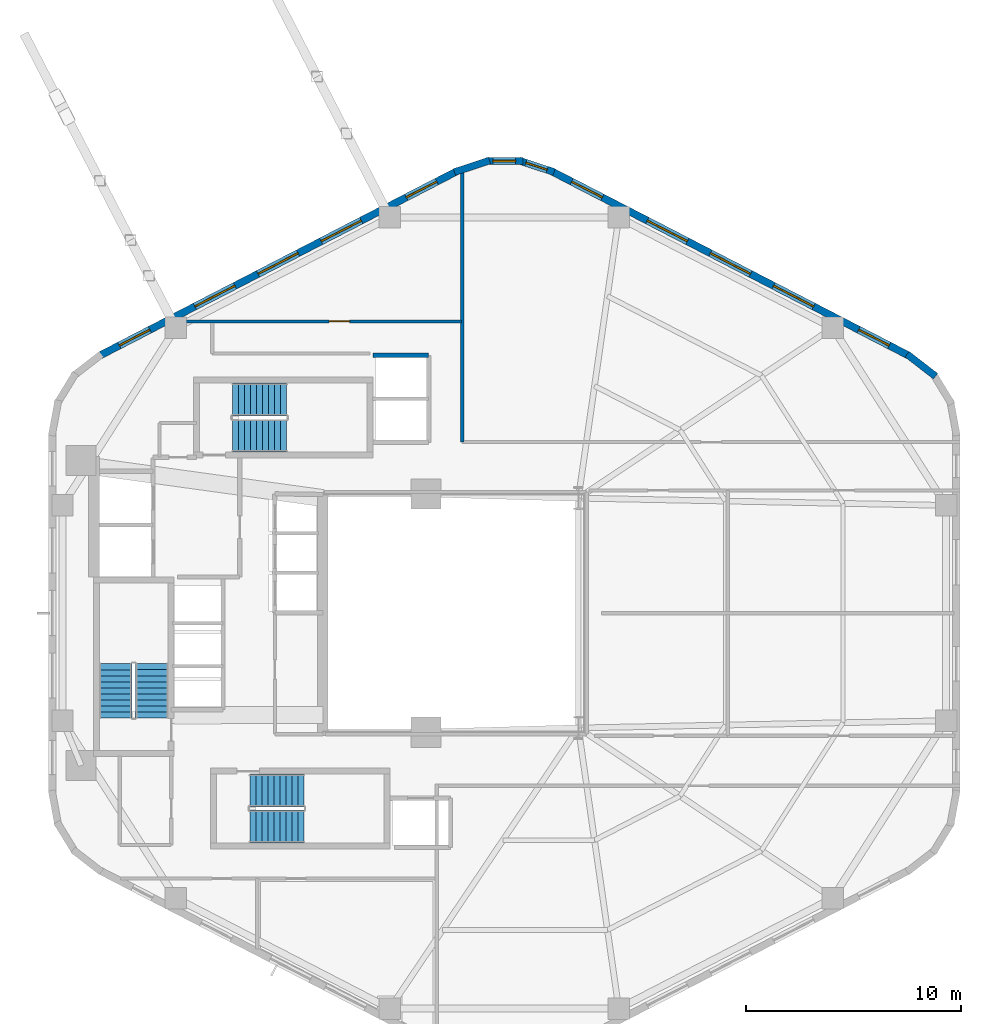
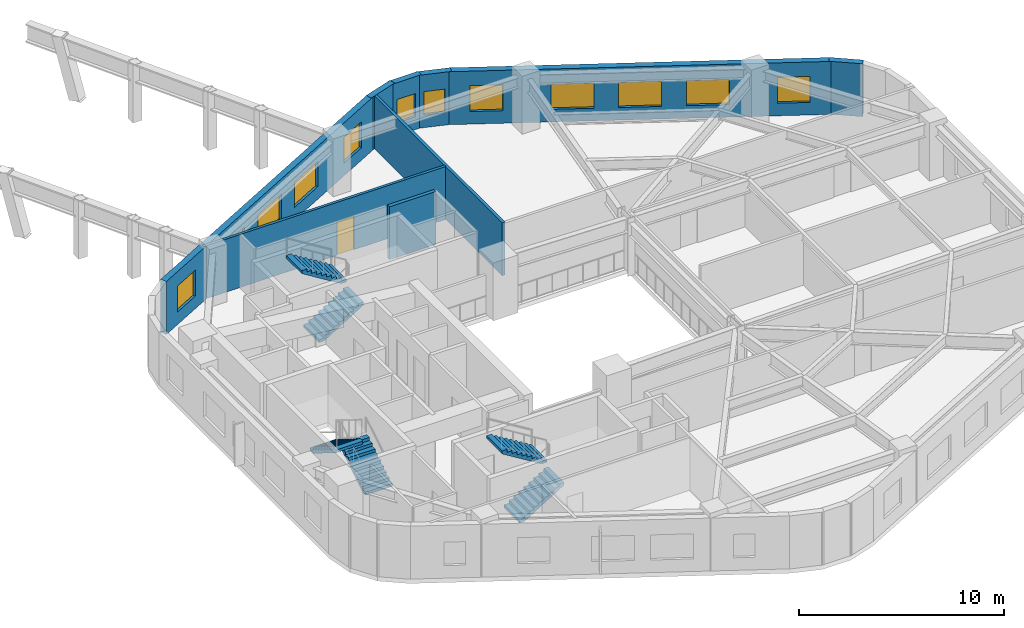
# One storey, part 5 of 6: 12 windows, 9 walls, 6 stair flights, 1 door, 13 openings, 3 elements without a shape of their own.
"""IFC4 building model written with IfcOpenShell, lengths in metres."""

from ifc_helpers import new_model, si_unit, direction, frame, frame_2d, origin, place, context, subcontext, project, spatial, polyline, rectangle, outline, extrude, material, layer, layer_set, type_object, element, fill, aggregate, save


model = new_model("IFC4")

# Units and contexts
model_context = context("Model", 3, precision=1e-05, world=origin(), true_north=direction((0.0, 1.0)))
body_context = subcontext(model_context, "Body", "Model", "MODEL_VIEW")
ifc_project = project(units=[si_unit("LENGTHUNIT", "METRE"), si_unit("AREAUNIT", "SQUARE_METRE"), si_unit("VOLUMEUNIT", "CUBIC_METRE"), si_unit("PLANEANGLEUNIT", "RADIAN"), si_unit("MASSUNIT", "GRAM", prefix="KILO"), si_unit("THERMODYNAMICTEMPERATUREUNIT", "KELVIN"), si_unit("POWERUNIT", "WATT")], contexts=[model_context])

# Site, building, storey
site_placement = place(None, origin())
site = spatial("IfcSite", under=ifc_project, at=site_placement, CompositionType="ELEMENT")
building_placement = place(site_placement, origin())
building = spatial("IfcBuilding", under=site, at=building_placement, Name="Skarre Station Tower", CompositionType="ELEMENT")
storey_placement = place(building_placement, frame((0.0, 0.0, 136.050048828125)))
storey = spatial("IfcBuildingStorey", under=building, at=storey_placement, Name="L36", CompositionType="ELEMENT", Elevation=136.050048828125)

# Wall, opening, door
ifc_material_1 = material(Name="Acoustic Steel-Stud Gypsum Partition", Category="steel")
ifc_layer_1 = layer(ifc_material_1, 0.14990234375, Name="Acoustic Steel-Stud Gypsum Partition")
ifc_layer_set_1 = layer_set([ifc_layer_1], Name="Acoustic Steel-Stud Gypsum Partition")
wall_type_1 = type_object("IfcWallType", Name="Fire-Rated Corridor Acoustic Partition 150", PredefinedType="PARTITIONING", material=ifc_layer_set_1)
wall_1_placement = place(storey_placement, frame((34.0, 37.580078125, 0.0), z_axis=(0.0, 0.0, 1.0), x_axis=(-1.0, 0.0, 0.0)))
wall_1 = element("IfcWall", 1, at=wall_1_placement, inside=storey, type_object=wall_type_1, Name="L36 Interior Partition WL-PT-L36-NWW1-CW", PredefinedType="PARTITIONING", context=body_context, shape_type="SweptSolid", body=[
    extrude(rectangle(XDim=13.70703125, YDim=0.14990234375, at=frame_2d((6.853515625, 0.0))), origin(), (0.0, 0.0, 1.0), 3.159912109375),
])
opening_1_placement = place(wall_1_placement, frame((5.195068359375, 0.0, 0.0)))
opening_1 = element("IfcOpeningElement", 2, at=opening_1_placement, cuts=wall_1, Name="Opening DR-FD60", PredefinedType="OPENING", context=body_context, shape_type="SweptSolid", body=[
    extrude(rectangle(XDim=0.9599609375, YDim=2.0, at=frame_2d((0.47998046875, 1.0))), frame((0.0, 0.0849609375, 0.0), z_axis=(0.0, -1.0, 0.0), x_axis=(1.0, 0.0, 0.0)), (0.0, 0.0, 1.0), 0.169921875),
])
ifc_material_2 = material(Name="Nordic White-Oak Veneer Solid-Core Fire Leaf", Category="wood")
door_type = type_object("IfcDoorType", Name="Corridor Suite Entry Fire Door FD60 960x2150", OperationType="SINGLE_SWING_LEFT", PredefinedType="DOOR", material=ifc_material_2)
door_placement = place(opening_1_placement, origin())
door = element("IfcDoor", 3, at=door_placement, inside=storey, type_object=door_type, Name="L36 NWW1 Entry Door", OperationType="SINGLE_SWING_LEFT", OverallHeight=2.0, OverallWidth=0.9599609375, PredefinedType="DOOR", context=body_context, shape_type="SweptSolid", body=[
    extrude(rectangle(XDim=0.9599609375, YDim=2.0, at=frame_2d((0.47998046875, 1.0))), frame((0.0, 0.02490234375, 0.0), z_axis=(0.0, -1.0, 0.0), x_axis=(1.0, 0.0, 0.0)), (0.0, 0.0, 1.0), 0.050048828125),
])
fill(opening_1, door)

# Wall, openings, windows
ifc_material_3 = material(Name="Precast concrete C45/55", Category="concrete")
ifc_layer_2 = layer(ifc_material_3, 0.340087890625, Name="Precast concrete C45/55")
ifc_layer_set_2 = layer_set([ifc_layer_2], Name="Precast concrete C45/55")
wall_type_2 = type_object("IfcWallType", Name="Nordic Honed Precast Facet Wall 340", PredefinedType="STANDARD", material=ifc_layer_set_2)
wall_2_placement = place(storey_placement, frame((38.23095703125, 44.55810546875, 0.0), z_axis=(0.0, 0.0, 1.0), x_axis=(0.888613612362, -0.458656568606, 0.0)))
wall_2 = element("IfcWall", 4, at=wall_2_placement, inside=storey, type_object=wall_type_2, Name="L36 Facet 0 Nordic Precast Masonry Wall", PredefinedType="STANDARD", context=body_context, shape_type="SweptSolid", body=[
    extrude(rectangle(XDim=18.680908203125, YDim=0.340087890625, at=frame_2d((9.34033203125, 0.0))), origin(), (0.0, 0.0, 1.0), 3.159912109375),
])
opening_2_placement = place(wall_2_placement, frame((1.02294921875, 0.0, 0.75)))
opening_2 = element("IfcOpeningElement", 5, at=opening_2_placement, cuts=wall_2, Name="Opening WN-Z2A", PredefinedType="OPENING", context=body_context, shape_type="SweptSolid", body=[
    extrude(rectangle(XDim=1.60009765625, YDim=1.550048828125, at=frame_2d((0.800048828125, 0.77490234375))), frame((0.0, 0.179931640625, 0.0), z_axis=(0.0, -1.0, 0.0), x_axis=(1.0, 0.0, 0.0)), (0.0, 0.0, 1.0), 0.360107421875),
])
opening_3_placement = place(wall_2_placement, frame((4.98095703125, 0.0, 0.75)))
opening_3 = element("IfcOpeningElement", 6, at=opening_3_placement, cuts=wall_2, Name="Opening WN-Z2B", PredefinedType="OPENING", context=body_context, shape_type="SweptSolid", body=[
    extrude(rectangle(XDim=2.10009765625, YDim=1.5, at=frame_2d((1.050048828125, 0.75))), frame((0.0, 0.179931640625, 0.0), z_axis=(0.0, -1.0, 0.0), x_axis=(1.0, 0.0, 0.0)), (0.0, 0.0, 1.0), 0.360107421875),
])
opening_4_placement = place(wall_2_placement, frame((8.2900390625, 0.0, 0.75)))
opening_4 = element("IfcOpeningElement", 7, at=opening_4_placement, cuts=wall_2, Name="Opening WN-Z2B", PredefinedType="OPENING", context=body_context, shape_type="SweptSolid", body=[
    extrude(rectangle(XDim=2.10009765625, YDim=1.5, at=frame_2d((1.050048828125, 0.75))), frame((0.0, 0.179931640625, 0.0), z_axis=(0.0, -1.0, 0.0), x_axis=(1.0, 0.0, 0.0)), (0.0, 0.0, 1.0), 0.360107421875),
])
opening_5_placement = place(wall_2_placement, frame((11.60009765625, 0.0, 0.75)))
opening_5 = element("IfcOpeningElement", 8, at=opening_5_placement, cuts=wall_2, Name="Opening WN-Z2B", PredefinedType="OPENING", context=body_context, shape_type="SweptSolid", body=[
    extrude(rectangle(XDim=2.10009765625, YDim=1.5, at=frame_2d((1.050048828125, 0.75))), frame((0.0, 0.179931640625, 0.0), z_axis=(0.0, -1.0, 0.0), x_axis=(1.0, 0.0, 0.0)), (0.0, 0.0, 1.0), 0.360107421875),
])
opening_6_placement = place(wall_2_placement, frame((16.05810546875, 0.0, 0.75)))
opening_6 = element("IfcOpeningElement", 9, at=opening_6_placement, cuts=wall_2, Name="Opening WN-Z2A", PredefinedType="OPENING", context=body_context, shape_type="SweptSolid", body=[
    extrude(rectangle(XDim=1.60009765625, YDim=1.550048828125, at=frame_2d((0.800048828125, 0.77490234375))), frame((0.0, 0.179931640625, 0.0), z_axis=(0.0, -1.0, 0.0), x_axis=(1.0, 0.0, 0.0)), (0.0, 0.0, 1.0), 0.360107421875),
])
ifc_material_4 = material(Name="Low-Iron Triple Glazing with Bronze Anodized Frame", Category="glass")
window_type_1 = type_object("IfcWindowType", Name="Nordic Residential Tall Window 1600x1550", PartitioningType="SINGLE_PANEL", PredefinedType="WINDOW", material=ifc_material_4)
window_1_placement = place(opening_2_placement, origin())
window_1 = element("IfcWindow", 10, at=window_1_placement, inside=storey, type_object=window_type_1, Name="L36 Facade Window WL-FAC-L36-F0-1", OverallHeight=1.550048828125, OverallWidth=1.60009765625, PartitioningType="SINGLE_PANEL", PredefinedType="WINDOW", context=body_context, shape_type="SweptSolid", body=[
    extrude(rectangle(XDim=1.60009765625, YDim=1.550048828125, at=frame_2d((0.800048828125, 0.77490234375))), frame((0.0, 0.030029296875, 0.0), z_axis=(0.0, -1.0, 0.0), x_axis=(1.0, 0.0, 0.0)), (0.0, 0.0, 1.0), 0.06005859375),
])
fill(opening_2, window_1)
window_2_placement = place(opening_6_placement, origin())
window_2 = element("IfcWindow", 11, at=window_2_placement, inside=storey, type_object=window_type_1, Name="L36 Facade Window WL-FAC-L36-F0-5", OverallHeight=1.550048828125, OverallWidth=1.60009765625, PartitioningType="SINGLE_PANEL", PredefinedType="WINDOW", context=body_context, shape_type="SweptSolid", body=[
    extrude(rectangle(XDim=1.60009765625, YDim=1.550048828125, at=frame_2d((0.800048828125, 0.77490234375))), frame((0.0, 0.030029296875, 0.0), z_axis=(0.0, -1.0, 0.0), x_axis=(1.0, 0.0, 0.0)), (0.0, 0.0, 1.0), 0.06005859375),
])
fill(opening_6, window_2)
window_type_2 = type_object("IfcWindowType", Name="Nordic Residential Twin Window 2100x1500", PartitioningType="SINGLE_PANEL", PredefinedType="WINDOW", material=ifc_material_4)
window_3_placement = place(opening_3_placement, origin())
window_3 = element("IfcWindow", 12, at=window_3_placement, inside=storey, type_object=window_type_2, Name="L36 Facade Window WL-FAC-L36-F0-2", OverallHeight=1.5, OverallWidth=2.10009765625, PartitioningType="SINGLE_PANEL", PredefinedType="WINDOW", context=body_context, shape_type="SweptSolid", body=[
    extrude(rectangle(XDim=2.10009765625, YDim=1.5, at=frame_2d((1.050048828125, 0.75))), frame((0.0, 0.030029296875, 0.0), z_axis=(0.0, -1.0, 0.0), x_axis=(1.0, 0.0, 0.0)), (0.0, 0.0, 1.0), 0.06005859375),
])
fill(opening_3, window_3)
window_4_placement = place(opening_4_placement, origin())
window_4 = element("IfcWindow", 13, at=window_4_placement, inside=storey, type_object=window_type_2, Name="L36 Facade Window WL-FAC-L36-F0-3", OverallHeight=1.5, OverallWidth=2.10009765625, PartitioningType="SINGLE_PANEL", PredefinedType="WINDOW", context=body_context, shape_type="SweptSolid", body=[
    extrude(rectangle(XDim=2.10009765625, YDim=1.5, at=frame_2d((1.050048828125, 0.75))), frame((0.0, 0.030029296875, 0.0), z_axis=(0.0, -1.0, 0.0), x_axis=(1.0, 0.0, 0.0)), (0.0, 0.0, 1.0), 0.06005859375),
])
fill(opening_4, window_4)
window_5_placement = place(opening_5_placement, origin())
window_5 = element("IfcWindow", 14, at=window_5_placement, inside=storey, type_object=window_type_2, Name="L36 Facade Window WL-FAC-L36-F0-4", OverallHeight=1.5, OverallWidth=2.10009765625, PartitioningType="SINGLE_PANEL", PredefinedType="WINDOW", context=body_context, shape_type="SweptSolid", body=[
    extrude(rectangle(XDim=2.10009765625, YDim=1.5, at=frame_2d((1.050048828125, 0.75))), frame((0.0, 0.030029296875, 0.0), z_axis=(0.0, -1.0, 0.0), x_axis=(1.0, 0.0, 0.0)), (0.0, 0.0, 1.0), 0.06005859375),
])
fill(opening_5, window_5)

wall_3_placement = place(storey_placement, frame((17.1689453125, 35.989990234375, 0.0), z_axis=(0.0, 0.0, 1.0), x_axis=(0.888613612362, 0.458656568606, 0.0)))
wall_3 = element("IfcWall", 15, at=wall_3_placement, inside=storey, type_object=wall_type_2, Name="L36 Facet 1 Nordic Precast Masonry Wall", PredefinedType="STANDARD", context=body_context, shape_type="SweptSolid", body=[
    extrude(rectangle(XDim=18.680908203125, YDim=0.340087890625, at=frame_2d((9.34033203125, 0.0))), origin(), (0.0, 0.0, 1.0), 3.159912109375),
])
opening_7_placement = place(wall_3_placement, frame((1.02294921875, 0.0, 0.75)))
opening_7 = element("IfcOpeningElement", 16, at=opening_7_placement, cuts=wall_3, Name="Opening WN-Z2A", PredefinedType="OPENING", context=body_context, shape_type="SweptSolid", body=[
    extrude(rectangle(XDim=1.60009765625, YDim=1.550048828125, at=frame_2d((0.800048828125, 0.77490234375))), frame((0.0, 0.179931640625, 0.0), z_axis=(0.0, -1.0, 0.0), x_axis=(1.0, 0.0, 0.0)), (0.0, 0.0, 1.0), 0.360107421875),
])
opening_8_placement = place(wall_3_placement, frame((4.98095703125, 0.0, 0.75)))
opening_8 = element("IfcOpeningElement", 17, at=opening_8_placement, cuts=wall_3, Name="Opening WN-Z2B", PredefinedType="OPENING", context=body_context, shape_type="SweptSolid", body=[
    extrude(rectangle(XDim=2.10009765625, YDim=1.5, at=frame_2d((1.050048828125, 0.75))), frame((0.0, 0.179931640625, 0.0), z_axis=(0.0, -1.0, 0.0), x_axis=(1.0, 0.0, 0.0)), (0.0, 0.0, 1.0), 0.360107421875),
])
opening_9_placement = place(wall_3_placement, frame((8.2900390625, 0.0, 0.75)))
opening_9 = element("IfcOpeningElement", 18, at=opening_9_placement, cuts=wall_3, Name="Opening WN-Z2B", PredefinedType="OPENING", context=body_context, shape_type="SweptSolid", body=[
    extrude(rectangle(XDim=2.10009765625, YDim=1.5, at=frame_2d((1.050048828125, 0.75))), frame((0.0, 0.179931640625, 0.0), z_axis=(0.0, -1.0, 0.0), x_axis=(1.0, 0.0, 0.0)), (0.0, 0.0, 1.0), 0.360107421875),
])
opening_10_placement = place(wall_3_placement, frame((11.60009765625, 0.0, 0.75)))
opening_10 = element("IfcOpeningElement", 19, at=opening_10_placement, cuts=wall_3, Name="Opening WN-Z2B", PredefinedType="OPENING", context=body_context, shape_type="SweptSolid", body=[
    extrude(rectangle(XDim=2.10009765625, YDim=1.5, at=frame_2d((1.050048828125, 0.75))), frame((0.0, 0.179931640625, 0.0), z_axis=(0.0, -1.0, 0.0), x_axis=(1.0, 0.0, 0.0)), (0.0, 0.0, 1.0), 0.360107421875),
])
opening_11_placement = place(wall_3_placement, frame((16.05810546875, 0.0, 0.75)))
opening_11 = element("IfcOpeningElement", 20, at=opening_11_placement, cuts=wall_3, Name="Opening WN-Z2A", PredefinedType="OPENING", context=body_context, shape_type="SweptSolid", body=[
    extrude(rectangle(XDim=1.60009765625, YDim=1.550048828125, at=frame_2d((0.800048828125, 0.77490234375))), frame((0.0, 0.179931640625, 0.0), z_axis=(0.0, -1.0, 0.0), x_axis=(1.0, 0.0, 0.0)), (0.0, 0.0, 1.0), 0.360107421875),
])
window_6_placement = place(opening_7_placement, origin())
window_6 = element("IfcWindow", 21, at=window_6_placement, inside=storey, type_object=window_type_1, Name="L36 Facade Window WL-FAC-L36-F1-1", OverallHeight=1.550048828125, OverallWidth=1.60009765625, PartitioningType="SINGLE_PANEL", PredefinedType="WINDOW", context=body_context, shape_type="SweptSolid", body=[
    extrude(rectangle(XDim=1.60009765625, YDim=1.550048828125, at=frame_2d((0.800048828125, 0.77490234375))), frame((0.0, 0.030029296875, 0.0), z_axis=(0.0, -1.0, 0.0), x_axis=(1.0, 0.0, 0.0)), (0.0, 0.0, 1.0), 0.06005859375),
])
fill(opening_7, window_6)
window_7_placement = place(opening_11_placement, origin())
window_7 = element("IfcWindow", 22, at=window_7_placement, inside=storey, type_object=window_type_1, Name="L36 Facade Window WL-FAC-L36-F1-5", OverallHeight=1.550048828125, OverallWidth=1.60009765625, PartitioningType="SINGLE_PANEL", PredefinedType="WINDOW", context=body_context, shape_type="SweptSolid", body=[
    extrude(rectangle(XDim=1.60009765625, YDim=1.550048828125, at=frame_2d((0.800048828125, 0.77490234375))), frame((0.0, 0.030029296875, 0.0), z_axis=(0.0, -1.0, 0.0), x_axis=(1.0, 0.0, 0.0)), (0.0, 0.0, 1.0), 0.06005859375),
])
fill(opening_11, window_7)
window_8_placement = place(opening_8_placement, origin())
window_8 = element("IfcWindow", 23, at=window_8_placement, inside=storey, type_object=window_type_2, Name="L36 Facade Window WL-FAC-L36-F1-2", OverallHeight=1.5, OverallWidth=2.10009765625, PartitioningType="SINGLE_PANEL", PredefinedType="WINDOW", context=body_context, shape_type="SweptSolid", body=[
    extrude(rectangle(XDim=2.10009765625, YDim=1.5, at=frame_2d((1.050048828125, 0.75))), frame((0.0, 0.030029296875, 0.0), z_axis=(0.0, -1.0, 0.0), x_axis=(1.0, 0.0, 0.0)), (0.0, 0.0, 1.0), 0.06005859375),
])
fill(opening_8, window_8)
window_9_placement = place(opening_9_placement, origin())
window_9 = element("IfcWindow", 24, at=window_9_placement, inside=storey, type_object=window_type_2, Name="L36 Facade Window WL-FAC-L36-F1-3", OverallHeight=1.5, OverallWidth=2.10009765625, PartitioningType="SINGLE_PANEL", PredefinedType="WINDOW", context=body_context, shape_type="SweptSolid", body=[
    extrude(rectangle(XDim=2.10009765625, YDim=1.5, at=frame_2d((1.050048828125, 0.75))), frame((0.0, 0.030029296875, 0.0), z_axis=(0.0, -1.0, 0.0), x_axis=(1.0, 0.0, 0.0)), (0.0, 0.0, 1.0), 0.06005859375),
])
fill(opening_9, window_9)
window_10_placement = place(opening_10_placement, origin())
window_10 = element("IfcWindow", 25, at=window_10_placement, inside=storey, type_object=window_type_2, Name="L36 Facade Window WL-FAC-L36-F1-4", OverallHeight=1.5, OverallWidth=2.10009765625, PartitioningType="SINGLE_PANEL", PredefinedType="WINDOW", context=body_context, shape_type="SweptSolid", body=[
    extrude(rectangle(XDim=2.10009765625, YDim=1.5, at=frame_2d((1.050048828125, 0.75))), frame((0.0, 0.030029296875, 0.0), z_axis=(0.0, -1.0, 0.0), x_axis=(1.0, 0.0, 0.0)), (0.0, 0.0, 1.0), 0.06005859375),
])
fill(opening_10, window_10)

# Walls
ifc_layer_3 = layer(ifc_material_3, 0.330078125, Name="Precast concrete C45/55")
ifc_layer_set_3 = layer_set([ifc_layer_3], Name="Precast concrete C45/55")
wall_type_3 = type_object("IfcWallType", Name="Nordic Rounded Corner Precast Wall 330", PredefinedType="STANDARD", material=ifc_layer_set_3)
wall_4_placement = place(storey_placement, frame((54.757080078125, 36.050048828125, 0.0), z_axis=(0.0, 0.0, 1.0), x_axis=(0.790621329885, -0.612305408053, 0.0)))
element("IfcWall", 26, at=wall_4_placement, inside=storey, type_object=wall_type_3, Name="L36 Rounded Corner Precast Wall F0-1", PredefinedType="STANDARD", context=body_context, shape_type="SweptSolid", body=[
    extrude(rectangle(XDim=1.67578125, YDim=0.330078125, at=frame_2d((0.837890625, 0.0))), origin(), (0.0, 0.0, 1.0), 3.159912109375),
])
wall_5_placement = place(storey_placement, frame((33.680908203125, 44.531982421875, 0.0), z_axis=(0.0, 0.0, 1.0), x_axis=(0.949937416267, 0.312440242569, 0.0)))
element("IfcWall", 27, at=wall_5_placement, inside=storey, type_object=wall_type_3, Name="L36 Rounded Corner Precast Wall F1-1", PredefinedType="STANDARD", context=body_context, shape_type="SweptSolid", body=[
    extrude(rectangle(XDim=1.72216796875, YDim=0.330078125, at=frame_2d((0.861083984375, 0.0))), origin(), (0.0, 0.0, 1.0), 3.159912109375),
])

# Wall, opening, window
wall_6_placement = place(storey_placement, frame((35.138916015625, 45.041015625, 0.0), z_axis=(0.0, 0.0, 1.0), x_axis=(1.0, 0.0, 0.0)))
wall_6 = element("IfcWall", 28, at=wall_6_placement, inside=storey, type_object=wall_type_3, Name="L36 Rounded Corner Precast Wall F1-2", PredefinedType="STANDARD", context=body_context, shape_type="SweptSolid", body=[
    extrude(rectangle(XDim=1.72216796875, YDim=0.330078125, at=frame_2d((0.861083984375, 0.0))), origin(), (0.0, 0.0, 1.0), 3.159912109375),
])
opening_12_placement = place(wall_6_placement, frame((0.3359375, 0.0, 0.75)))
opening_12 = element("IfcOpeningElement", 29, at=opening_12_placement, cuts=wall_6, Name="Opening WN-SLT", PredefinedType="OPENING", context=body_context, shape_type="SweptSolid", body=[
    extrude(rectangle(XDim=1.050048828125, YDim=1.39990234375, at=frame_2d((0.52490234375, 0.699951171875))), frame((0.0, 0.175048828125, 0.0), z_axis=(0.0, -1.0, 0.0), x_axis=(1.0, 0.0, 0.0)), (0.0, 0.0, 1.0), 0.35009765625),
])
window_type_3 = type_object("IfcWindowType", Name="Nordic Corner Slot Window 1050x1400", PartitioningType="SINGLE_PANEL", PredefinedType="WINDOW", material=ifc_material_4)
window_11_placement = place(opening_12_placement, origin())
window_11 = element("IfcWindow", 30, at=window_11_placement, inside=storey, type_object=window_type_3, Name="L36 Apex Corner Slot Window F1-2", OverallHeight=1.39990234375, OverallWidth=1.050048828125, PartitioningType="SINGLE_PANEL", PredefinedType="WINDOW", context=body_context, shape_type="SweptSolid", body=[
    extrude(rectangle(XDim=1.050048828125, YDim=1.39990234375, at=frame_2d((0.52490234375, 0.699951171875))), frame((0.0, 0.030029296875, 0.0), z_axis=(0.0, -1.0, 0.0), x_axis=(1.0, 0.0, 0.0)), (0.0, 0.0, 1.0), 0.06005859375),
])
fill(opening_12, window_11)

wall_7_placement = place(storey_placement, frame((36.68310546875, 45.070068359375, 0.0), z_axis=(0.0, 0.0, 1.0), x_axis=(0.949937416267, -0.312440242569, 0.0)))
wall_7 = element("IfcWall", 31, at=wall_7_placement, inside=storey, type_object=wall_type_3, Name="L36 Rounded Corner Precast Wall F1-3", PredefinedType="STANDARD", context=body_context, shape_type="SweptSolid", body=[
    extrude(rectangle(XDim=1.72216796875, YDim=0.330078125, at=frame_2d((0.861083984375, 0.0))), origin(), (0.0, 0.0, 1.0), 3.159912109375),
])
opening_13_placement = place(wall_7_placement, frame((0.3359375, 0.0, 0.75)))
opening_13 = element("IfcOpeningElement", 32, at=opening_13_placement, cuts=wall_7, Name="Opening WN-SLT", PredefinedType="OPENING", context=body_context, shape_type="SweptSolid", body=[
    extrude(rectangle(XDim=1.050048828125, YDim=1.39990234375, at=frame_2d((0.52490234375, 0.699951171875))), frame((0.0, 0.175048828125, 0.0), z_axis=(0.0, -1.0, 0.0), x_axis=(1.0, 0.0, 0.0)), (0.0, 0.0, 1.0), 0.35009765625),
])
window_12_placement = place(opening_13_placement, origin())
window_12 = element("IfcWindow", 33, at=window_12_placement, inside=storey, type_object=window_type_3, Name="L36 Apex Corner Slot Window F1-3", OverallHeight=1.39990234375, OverallWidth=1.050048828125, PartitioningType="SINGLE_PANEL", PredefinedType="WINDOW", context=body_context, shape_type="SweptSolid", body=[
    extrude(rectangle(XDim=1.050048828125, YDim=1.39990234375, at=frame_2d((0.52490234375, 0.699951171875))), frame((0.0, 0.030029296875, 0.0), z_axis=(0.0, -1.0, 0.0), x_axis=(1.0, 0.0, 0.0)), (0.0, 0.0, 1.0), 0.06005859375),
])
fill(opening_13, window_12)

# Walls
ifc_material_5 = material(Name="Gypsum Concrete Shaft Assembly C30/37", Category="concrete")
ifc_layer_4 = layer(ifc_material_5, 0.199951171875, Name="Gypsum Concrete Shaft Assembly C30/37")
ifc_layer_set_4 = layer_set([ifc_layer_4], Name="Gypsum Concrete Shaft Assembly C30/37")
wall_type_4 = type_object("IfcWallType", Name="Shaft & Core Fire Partition 200", PredefinedType="PARTITIONING", material=ifc_layer_set_4)
wall_8_placement = place(storey_placement, frame((29.8798828125, 36.0, 0.0), z_axis=(0.0, 0.0, 1.0), x_axis=(1.0, 0.0, 0.0)))
element("IfcWall", 34, at=wall_8_placement, inside=storey, type_object=wall_type_4, Name="L36 Interior Partition WL-PT-L36-EX-N", PredefinedType="PARTITIONING", context=body_context, shape_type="SweptSolid", body=[
    extrude(rectangle(XDim=2.60009765625, YDim=0.199951171875, at=frame_2d((1.300048828125, 0.0))), origin(), (0.0, 0.0, 1.0), 3.159912109375),
])
ifc_layer_5 = layer(ifc_material_1, 0.1650390625, Name="Acoustic Steel-Stud Gypsum Partition")
ifc_layer_set_5 = layer_set([ifc_layer_5], Name="Acoustic Steel-Stud Gypsum Partition")
wall_type_5 = type_object("IfcWallType", Name="Suite Demising Acoustic Partition 165", PredefinedType="PARTITIONING", material=ifc_layer_set_5)
wall_9_placement = place(storey_placement, frame((34.0400390625, 31.9599609375, 0.0), z_axis=(0.0, 0.0, 1.0), x_axis=(0.0, 1.0, 0.0)))
element("IfcWall", 35, at=wall_9_placement, inside=storey, type_object=wall_type_5, Name="L36 Interior Partition WL-PT-L36-NW-WBND", PredefinedType="PARTITIONING", context=body_context, shape_type="SweptSolid", body=[
    extrude(rectangle(XDim=12.55810546875, YDim=0.1650390625, at=frame_2d((6.279052734375, 0.0))), origin(), (0.0, 0.0, 1.0), 3.159912109375),
])

# Stair, stair flights
ifc_material_6 = material(Name="Concrete C40/50", Category="concrete")
stair_type_1 = type_object("IfcStairType", Name="Reinforced Concrete Exit Stair ST-1", PredefinedType="HALF_TURN_STAIR", material=ifc_material_6)
stair_1_placement = place(storey_placement, origin())
stair_1 = element("IfcStair", 36, at=stair_1_placement, inside=storey, type_object=stair_type_1, Name="L36 Core Exit Stair ST-1", PredefinedType="HALF_TURN_STAIR")
stair_flight_type_1 = type_object("IfcStairFlightType", Name="Reinforced Concrete Stair Flight ST-1", PredefinedType="STRAIGHT", material=ifc_material_6)
stair_flight_1_placement = place(storey_placement, frame((19.590087890625, 19.1201171875, 0.0), z_axis=(0.0, 0.0, 1.0), x_axis=(0.0, 1.0, 0.0)))
stair_flight_1 = element("IfcStairFlight", 37, at=stair_flight_1_placement, type_object=stair_flight_type_1, Name="ST-1 flight 1", NumberOfRisers=10, NumberOfTreads=9, PredefinedType="STRAIGHT", RiserHeight=0.1725, TreadLength=0.28, context=body_context, shape_type="SweptSolid", body=[
    extrude(outline(polyline([(0.0, 0.0), (0.0, 0.172607421875), (0.280029296875, 0.172607421875), (0.280029296875, 0.344970703125), (0.56005859375, 0.344970703125), (0.56005859375, 0.517578125), (0.840087890625, 0.517578125), (0.840087890625, 0.68994140625), (1.1201171875, 0.68994140625), (1.1201171875, 0.862548828125), (1.39990234375, 0.862548828125), (1.39990234375, 1.034912109375), (1.679931640625, 1.034912109375), (1.679931640625, 1.20751953125), (1.9599609375, 1.20751953125), (1.9599609375, 1.3798828125), (2.239990234375, 1.3798828125), (2.239990234375, 1.552490234375), (2.52001953125, 1.552490234375), (2.52001953125, 1.72509765625), (2.52001953125, 1.37646484375), (0.285888671875, 0.0), (0.0, 0.0)])), frame((0.0, 0.760009765625, 0.0), z_axis=(0.0, -1.0, 0.0), x_axis=(1.0, 0.0, 0.0)), (0.0, 0.0, 1.0), 1.52001953125),
])
stair_flight_2_placement = place(storey_placement, frame((17.909912109375, 21.639892578125, 1.724853515625), z_axis=(0.0, 0.0, 1.0), x_axis=(0.0, -1.0, 0.0)))
stair_flight_2 = element("IfcStairFlight", 38, at=stair_flight_2_placement, type_object=stair_flight_type_1, Name="ST-1 flight 2", NumberOfRisers=10, NumberOfTreads=9, PredefinedType="STRAIGHT", RiserHeight=0.1725, TreadLength=0.28, context=body_context, shape_type="SweptSolid", body=[
    extrude(outline(polyline([(0.0, 0.0), (0.0, 0.172607421875), (0.280029296875, 0.172607421875), (0.280029296875, 0.344970703125), (0.56005859375, 0.344970703125), (0.56005859375, 0.517578125), (0.840087890625, 0.517578125), (0.840087890625, 0.68994140625), (1.1201171875, 0.68994140625), (1.1201171875, 0.862548828125), (1.39990234375, 0.862548828125), (1.39990234375, 1.034912109375), (1.679931640625, 1.034912109375), (1.679931640625, 1.20751953125), (1.9599609375, 1.20751953125), (1.9599609375, 1.3798828125), (2.239990234375, 1.3798828125), (2.239990234375, 1.552490234375), (2.52001953125, 1.552490234375), (2.52001953125, 1.72509765625), (2.52001953125, 1.37646484375), (0.285888671875, 0.0), (0.0, 0.0)])), frame((0.0, 0.760009765625, 0.0), z_axis=(0.0, -1.0, 0.0), x_axis=(1.0, 0.0, 0.0)), (0.0, 0.0, 1.0), 1.52001953125),
])
aggregate(stair_1, [stair_flight_1, stair_flight_2])

stair_type_2 = type_object("IfcStairType", Name="Reinforced Concrete Exit Stair ST-2", PredefinedType="HALF_TURN_STAIR", material=ifc_material_6)
stair_2_placement = place(storey_placement, origin())
stair_2 = element("IfcStair", 39, at=stair_2_placement, inside=storey, type_object=stair_type_2, Name="L36 Core Exit Stair ST-2", PredefinedType="HALF_TURN_STAIR")
stair_flight_type_2 = type_object("IfcStairFlightType", Name="Reinforced Concrete Stair Flight ST-2", PredefinedType="STRAIGHT", material=ifc_material_6)
stair_flight_3_placement = place(storey_placement, frame((24.14990234375, 14.06005859375, 0.0), z_axis=(0.0, 0.0, 1.0), x_axis=(1.0, 0.0, 0.0)))
stair_flight_3 = element("IfcStairFlight", 40, at=stair_flight_3_placement, type_object=stair_flight_type_2, Name="ST-2 flight 1", NumberOfRisers=10, NumberOfTreads=9, PredefinedType="STRAIGHT", RiserHeight=0.1725, TreadLength=0.28, context=body_context, shape_type="SweptSolid", body=[
    extrude(outline(polyline([(0.0, 0.0), (0.0, 0.172607421875), (0.280029296875, 0.172607421875), (0.280029296875, 0.344970703125), (0.56005859375, 0.344970703125), (0.56005859375, 0.517578125), (0.840087890625, 0.517578125), (0.840087890625, 0.68994140625), (1.1201171875, 0.68994140625), (1.1201171875, 0.862548828125), (1.39990234375, 0.862548828125), (1.39990234375, 1.034912109375), (1.679931640625, 1.034912109375), (1.679931640625, 1.20751953125), (1.9599609375, 1.20751953125), (1.9599609375, 1.3798828125), (2.239990234375, 1.3798828125), (2.239990234375, 1.552490234375), (2.52001953125, 1.552490234375), (2.52001953125, 1.72509765625), (2.52001953125, 1.37646484375), (0.285888671875, 0.0), (0.0, 0.0)])), frame((0.0, 0.760009765625, 0.0), z_axis=(0.0, -1.0, 0.0), x_axis=(1.0, 0.0, 0.0)), (0.0, 0.0, 1.0), 1.52001953125),
])
stair_flight_4_placement = place(storey_placement, frame((26.669921875, 15.739990234375, 1.724853515625), z_axis=(0.0, 0.0, 1.0), x_axis=(-1.0, 0.0, 0.0)))
stair_flight_4 = element("IfcStairFlight", 41, at=stair_flight_4_placement, type_object=stair_flight_type_2, Name="ST-2 flight 2", NumberOfRisers=10, NumberOfTreads=9, PredefinedType="STRAIGHT", RiserHeight=0.1725, TreadLength=0.28, context=body_context, shape_type="SweptSolid", body=[
    extrude(outline(polyline([(0.0, 0.0), (0.0, 0.172607421875), (0.280029296875, 0.172607421875), (0.280029296875, 0.344970703125), (0.56005859375, 0.344970703125), (0.56005859375, 0.517578125), (0.840087890625, 0.517578125), (0.840087890625, 0.68994140625), (1.1201171875, 0.68994140625), (1.1201171875, 0.862548828125), (1.39990234375, 0.862548828125), (1.39990234375, 1.034912109375), (1.679931640625, 1.034912109375), (1.679931640625, 1.20751953125), (1.9599609375, 1.20751953125), (1.9599609375, 1.3798828125), (2.239990234375, 1.3798828125), (2.239990234375, 1.552490234375), (2.52001953125, 1.552490234375), (2.52001953125, 1.72509765625), (2.52001953125, 1.37646484375), (0.285888671875, 0.0), (0.0, 0.0)])), frame((0.0, 0.760009765625, 0.0), z_axis=(0.0, -1.0, 0.0), x_axis=(1.0, 0.0, 0.0)), (0.0, 0.0, 1.0), 1.52001953125),
])
aggregate(stair_2, [stair_flight_3, stair_flight_4])

stair_type_3 = type_object("IfcStairType", Name="Reinforced Concrete Exit Stair ST-3", PredefinedType="HALF_TURN_STAIR", material=ifc_material_6)
stair_3_placement = place(storey_placement, origin())
stair_3 = element("IfcStair", 42, at=stair_3_placement, inside=storey, type_object=stair_type_3, Name="L36 Core Exit Stair ST-3", PredefinedType="HALF_TURN_STAIR")
stair_flight_type_3 = type_object("IfcStairFlightType", Name="Reinforced Concrete Stair Flight ST-3", PredefinedType="STRAIGHT", material=ifc_material_6)
stair_flight_5_placement = place(storey_placement, frame((23.35009765625, 32.260009765625, 0.0), z_axis=(0.0, 0.0, 1.0), x_axis=(1.0, 0.0, 0.0)))
stair_flight_5 = element("IfcStairFlight", 43, at=stair_flight_5_placement, type_object=stair_flight_type_3, Name="ST-3 flight 1", NumberOfRisers=10, NumberOfTreads=9, PredefinedType="STRAIGHT", RiserHeight=0.1725, TreadLength=0.28, context=body_context, shape_type="SweptSolid", body=[
    extrude(outline(polyline([(0.0, 0.0), (0.0, 0.172607421875), (0.280029296875, 0.172607421875), (0.280029296875, 0.344970703125), (0.56005859375, 0.344970703125), (0.56005859375, 0.517578125), (0.840087890625, 0.517578125), (0.840087890625, 0.68994140625), (1.1201171875, 0.68994140625), (1.1201171875, 0.862548828125), (1.39990234375, 0.862548828125), (1.39990234375, 1.034912109375), (1.679931640625, 1.034912109375), (1.679931640625, 1.20751953125), (1.9599609375, 1.20751953125), (1.9599609375, 1.3798828125), (2.239990234375, 1.3798828125), (2.239990234375, 1.552490234375), (2.52001953125, 1.552490234375), (2.52001953125, 1.72509765625), (2.52001953125, 1.37646484375), (0.285888671875, 0.0), (0.0, 0.0)])), frame((0.0, 0.760009765625, 0.0), z_axis=(0.0, -1.0, 0.0), x_axis=(1.0, 0.0, 0.0)), (0.0, 0.0, 1.0), 1.52001953125),
])
stair_flight_6_placement = place(storey_placement, frame((25.8701171875, 33.93994140625, 1.724853515625), z_axis=(0.0, 0.0, 1.0), x_axis=(-1.0, 0.0, 0.0)))
stair_flight_6 = element("IfcStairFlight", 44, at=stair_flight_6_placement, type_object=stair_flight_type_3, Name="ST-3 flight 2", NumberOfRisers=10, NumberOfTreads=9, PredefinedType="STRAIGHT", RiserHeight=0.1725, TreadLength=0.28, context=body_context, shape_type="SweptSolid", body=[
    extrude(outline(polyline([(0.0, 0.0), (0.0, 0.172607421875), (0.280029296875, 0.172607421875), (0.280029296875, 0.344970703125), (0.56005859375, 0.344970703125), (0.56005859375, 0.517578125), (0.840087890625, 0.517578125), (0.840087890625, 0.68994140625), (1.1201171875, 0.68994140625), (1.1201171875, 0.862548828125), (1.39990234375, 0.862548828125), (1.39990234375, 1.034912109375), (1.679931640625, 1.034912109375), (1.679931640625, 1.20751953125), (1.9599609375, 1.20751953125), (1.9599609375, 1.3798828125), (2.239990234375, 1.3798828125), (2.239990234375, 1.552490234375), (2.52001953125, 1.552490234375), (2.52001953125, 1.72509765625), (2.52001953125, 1.37646484375), (0.285888671875, 0.0), (0.0, 0.0)])), frame((0.0, 0.760009765625, 0.0), z_axis=(0.0, -1.0, 0.0), x_axis=(1.0, 0.0, 0.0)), (0.0, 0.0, 1.0), 1.52001953125),
])
aggregate(stair_3, [stair_flight_5, stair_flight_6])

save(model, "model.ifc")
